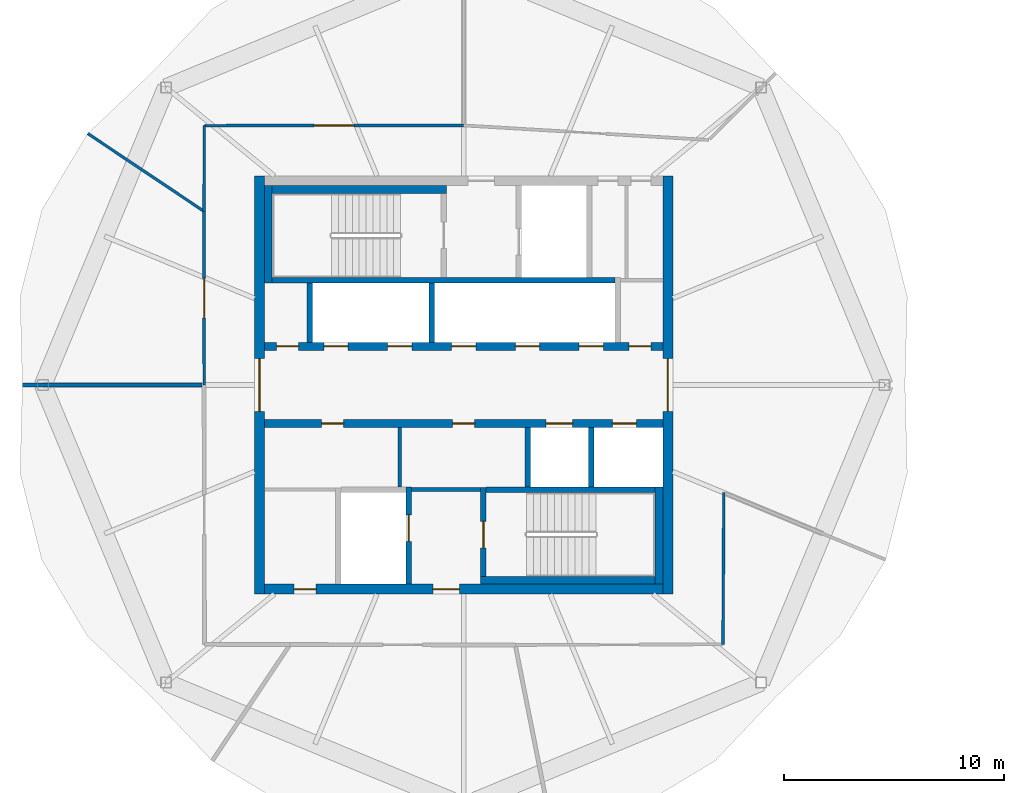
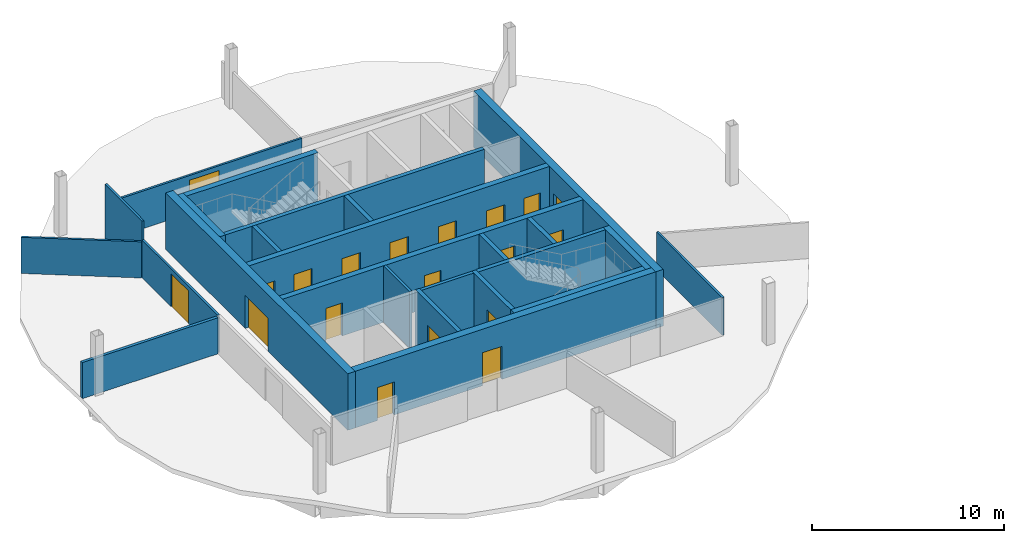
# One storey, part 5 of 10: 25 walls, 19 doors, 19 openings.
"""IFC4 building model written with IfcOpenShell, lengths in metres."""

from ifc_helpers import new_model, si_unit, direction, frame, frame_2d, origin, place, context, subcontext, project, spatial, rectangle, extrude, material, layer, layer_set, type_object, element, fill, save


model = new_model("IFC4")

# Units and contexts
model_context = context("Model", 3, precision=1e-05, world=origin(), true_north=direction((0.0, 1.0)))
body_context = subcontext(model_context, "Body", "Model", "MODEL_VIEW")
ifc_project = project(units=[si_unit("LENGTHUNIT", "METRE"), si_unit("AREAUNIT", "SQUARE_METRE"), si_unit("VOLUMEUNIT", "CUBIC_METRE"), si_unit("PLANEANGLEUNIT", "RADIAN"), si_unit("MASSUNIT", "GRAM", prefix="KILO")], contexts=[model_context])

# Site, building, storey
site_placement = place(None, origin())
site = spatial("IfcSite", under=ifc_project, at=site_placement, CompositionType="ELEMENT")
building_placement = place(site_placement, origin())
building = spatial("IfcBuilding", under=site, at=building_placement, Name="Ogive Gate Towers", CompositionType="ELEMENT")
storey_placement = place(building_placement, frame((0.0, 0.0, 236.699951171875)))
storey = spatial("IfcBuildingStorey", under=building, at=storey_placement, Name="L56", CompositionType="ELEMENT", Elevation=236.699951171875)

# Walls
ifc_material_1 = material(Name="Gypsum board acoustic partition")
ifc_layer_1 = layer(ifc_material_1, 0.175048828125)
ifc_layer_set_1 = layer_set([ifc_layer_1], Name="Acoustic partition 175")
wall_type_1 = type_object("IfcWallType", Name="Acoustic partition 175", PredefinedType="PARTITIONING", material=ifc_layer_set_1)
wall_1_placement = place(storey_placement, frame((-56.049072265625, 0.0, 0.0), z_axis=(0.0, 0.0, 1.0), x_axis=(1.0, 0.0, 0.0)))
element("IfcWall", 1, at=wall_1_placement, inside=storey, type_object=wall_type_1, Name="Partition T1-L56-004", PredefinedType="PARTITIONING", context=body_context, shape_type="SweptSolid", body=[
    extrude(rectangle(XDim=8.171630859375, YDim=0.175048828125, at=frame_2d((4.0859375, 0.0))), origin(), (0.0, 0.0, 1.0), 2.300048828125),
])
ifc_material_2 = material(Name="Masonry blockwork", Category="masonry")
ifc_layer_2 = layer(ifc_material_2, 0.199951171875)
ifc_layer_set_2 = layer_set([ifc_layer_2], Name="Blockwork wall 200 mm")
wall_type_2 = type_object("IfcWallType", Name="Blockwork wall 200 mm", PredefinedType="PARTITIONING", material=ifc_layer_set_2)
wall_2_placement = place(storey_placement, frame((-38.375, -4.75, 0.0), z_axis=(0.0, 0.0, 1.0), x_axis=(1.0, 0.0, 0.0)))
element("IfcWall", 2, at=wall_2_placement, inside=storey, type_object=wall_type_2, Name="T1 L56 Blockwork wall 200 mm", PredefinedType="PARTITIONING", context=body_context, shape_type="SweptSolid", body=[
    extrude(rectangle(XDim=3.14990234375, YDim=0.199951171875, at=frame_2d((1.574951171875, 0.0))), origin(), (0.0, 0.0, 1.0), 3.60009765625),
])

# Wall, openings, doors
ifc_material_3 = material(Name="Concrete C60/75", Category="concrete")
ifc_layer_3 = layer(ifc_material_3, 0.449951171875)
ifc_layer_set_3 = layer_set([ifc_layer_3], Name="Core wall 450 mm")
wall_type_3 = type_object("IfcWallType", Name="Core wall 450 mm", PredefinedType="SHEAR", material=ifc_layer_set_3)
wall_3_placement = place(storey_placement, frame((-45.050048828125, -9.27490234375, 0.0), z_axis=(0.0, 0.0, 1.0), x_axis=(1.0, 0.0, 0.0)))
wall_3 = element("IfcWall", 3, at=wall_3_placement, inside=storey, type_object=wall_type_3, Name="T1 L56 Core wall 450 mm", PredefinedType="SHEAR", context=body_context, shape_type="SweptSolid", body=[
    extrude(rectangle(XDim=18.10009765625, YDim=0.449951171875, at=frame_2d((9.050048828125, 0.0))), origin(), (0.0, 0.0, 1.0), 3.60009765625),
])
opening_1_placement = place(wall_3_placement, frame((7.64990234375, 0.0, 0.0)))
opening_1 = element("IfcOpeningElement", 4, at=opening_1_placement, cuts=wall_3, Name="Opening KD-T1-L56-19", PredefinedType="OPENING", context=body_context, shape_type="SweptSolid", body=[
    extrude(rectangle(XDim=1.199951171875, YDim=2.10009765625, at=frame_2d((0.60009765625, 1.050048828125))), frame((0.0, 0.23486328125, 0.0), z_axis=(0.0, -1.0, 0.0), x_axis=(1.0, 0.0, 0.0)), (0.0, 0.0, 1.0), 0.469970703125),
])
opening_2_placement = place(wall_3_placement, frame((1.35009765625, 0.0, 0.0)))
opening_2 = element("IfcOpeningElement", 5, at=opening_2_placement, cuts=wall_3, Name="Opening KD-T1-L56-22", PredefinedType="OPENING", context=body_context, shape_type="SweptSolid", body=[
    extrude(rectangle(XDim=1.0, YDim=2.10009765625, at=frame_2d((0.5, 1.050048828125))), frame((0.0, 0.23486328125, 0.0), z_axis=(0.0, -1.0, 0.0), x_axis=(1.0, 0.0, 0.0)), (0.0, 0.0, 1.0), 0.469970703125),
])
ifc_material_4 = material(Name="Timber door", Category="wood")
door_type_1 = type_object("IfcDoorType", Name="Accessible WC door 1000 x 2100", OperationType="NOTDEFINED", PredefinedType="DOOR", material=ifc_material_4)
door_1_placement = place(opening_2_placement, origin())
door_1 = element("IfcDoor", 6, at=door_1_placement, inside=storey, type_object=door_type_1, Name="T1 L56 Core door", OperationType="SINGLE_SWING_LEFT", OverallHeight=2.10009765625, OverallWidth=1.0, PredefinedType="DOOR", context=body_context, shape_type="SweptSolid", body=[
    extrude(rectangle(XDim=1.0, YDim=2.10009765625, at=frame_2d((0.5, 1.050048828125))), frame((0.0, 0.02490234375, 0.0), z_axis=(0.0, -1.0, 0.0), x_axis=(1.0, 0.0, 0.0)), (0.0, 0.0, 1.0), 0.050048828125),
])
fill(opening_2, door_1)
ifc_material_5 = material(Name="Steel fire door", Category="steel")
door_type_2 = type_object("IfcDoorType", Name="Core door FD60S 1200 x 2100", OperationType="NOTDEFINED", PredefinedType="DOOR", material=ifc_material_5)
door_2_placement = place(opening_1_placement, origin())
door_2 = element("IfcDoor", 7, at=door_2_placement, inside=storey, type_object=door_type_2, Name="T1 L56 Fire-fighting lobby door", OperationType="SINGLE_SWING_RIGHT", OverallHeight=2.10009765625, OverallWidth=1.199951171875, PredefinedType="DOOR", context=body_context, shape_type="SweptSolid", body=[
    extrude(rectangle(XDim=1.199951171875, YDim=2.10009765625, at=frame_2d((0.60009765625, 1.050048828125))), frame((0.0, 0.02490234375, 0.0), z_axis=(0.0, -1.0, 0.0), x_axis=(1.0, 0.0, 0.0)), (0.0, 0.0, 1.0), 0.050048828125),
])
fill(opening_1, door_2)

# Wall, opening, door
wall_4_placement = place(storey_placement, frame((-45.27490234375, -9.5, 0.0), z_axis=(0.0, 0.0, 1.0), x_axis=(0.0, 1.0, 0.0)))
wall_4 = element("IfcWall", 8, at=wall_4_placement, inside=storey, type_object=wall_type_3, Name="T1 L56 Core wall 450 mm", PredefinedType="SHEAR", context=body_context, shape_type="SweptSolid", body=[
    extrude(rectangle(XDim=19.0, YDim=0.449951171875, at=frame_2d((9.5, 0.0))), origin(), (0.0, 0.0, 1.0), 3.60009765625),
])
opening_3_placement = place(wall_4_placement, frame((8.300048828125, 0.0, 0.0)))
opening_3 = element("IfcOpeningElement", 9, at=opening_3_placement, cuts=wall_4, Name="Opening KD-T1-L56-01", PredefinedType="OPENING", context=body_context, shape_type="SweptSolid", body=[
    extrude(rectangle(XDim=2.39990234375, YDim=2.10009765625, at=frame_2d((1.199951171875, 1.050048828125))), frame((0.0, 0.23486328125, 0.0), z_axis=(0.0, -1.0, 0.0), x_axis=(1.0, 0.0, 0.0)), (0.0, 0.0, 1.0), 0.469970703125),
])
door_type_3 = type_object("IfcDoorType", Name="Core double door FD60S 2400 x 2100", OperationType="DOUBLE_DOOR_SINGLE_SWING", PredefinedType="DOOR", material=ifc_material_5)
door_3_placement = place(opening_3_placement, origin())
door_3 = element("IfcDoor", 10, at=door_3_placement, inside=storey, type_object=door_type_3, Name="T1 L56 Core door double", OperationType="DOUBLE_DOOR_SINGLE_SWING", OverallHeight=2.10009765625, OverallWidth=2.39990234375, PredefinedType="DOOR", context=body_context, shape_type="SweptSolid", body=[
    extrude(rectangle(XDim=2.39990234375, YDim=2.10009765625, at=frame_2d((1.199951171875, 1.050048828125))), frame((0.0, 0.02490234375, 0.0), z_axis=(0.0, -1.0, 0.0), x_axis=(1.0, 0.0, 0.0)), (0.0, 0.0, 1.0), 0.050048828125),
])
fill(opening_3, door_3)

wall_5_placement = place(storey_placement, frame((-26.72509765625, -9.5, 0.0), z_axis=(0.0, 0.0, 1.0), x_axis=(0.0, 1.0, 0.0)))
wall_5 = element("IfcWall", 11, at=wall_5_placement, inside=storey, type_object=wall_type_3, Name="T1 L56 Core wall 450 mm", PredefinedType="SHEAR", context=body_context, shape_type="SweptSolid", body=[
    extrude(rectangle(XDim=19.0, YDim=0.449951171875, at=frame_2d((9.5, 0.0))), origin(), (0.0, 0.0, 1.0), 3.60009765625),
])
opening_4_placement = place(wall_5_placement, frame((8.300048828125, 0.0, 0.0)))
opening_4 = element("IfcOpeningElement", 12, at=opening_4_placement, cuts=wall_5, Name="Opening KD-T1-L56-02", PredefinedType="OPENING", context=body_context, shape_type="SweptSolid", body=[
    extrude(rectangle(XDim=2.39990234375, YDim=2.10009765625, at=frame_2d((1.199951171875, 1.050048828125))), frame((0.0, 0.23486328125, 0.0), z_axis=(0.0, -1.0, 0.0), x_axis=(1.0, 0.0, 0.0)), (0.0, 0.0, 1.0), 0.469970703125),
])
door_4_placement = place(opening_4_placement, origin())
door_4 = element("IfcDoor", 13, at=door_4_placement, inside=storey, type_object=door_type_3, Name="T1 L56 Core door double", OperationType="DOUBLE_DOOR_SINGLE_SWING", OverallHeight=2.10009765625, OverallWidth=2.39990234375, PredefinedType="DOOR", context=body_context, shape_type="SweptSolid", body=[
    extrude(rectangle(XDim=2.39990234375, YDim=2.10009765625, at=frame_2d((1.199951171875, 1.050048828125))), frame((0.0, 0.02490234375, 0.0), z_axis=(0.0, -1.0, 0.0), x_axis=(1.0, 0.0, 0.0)), (0.0, 0.0, 1.0), 0.050048828125),
])
fill(opening_4, door_4)

# Walls
ifc_material_6 = material(Name="Gypsum board partition")
ifc_layer_4 = layer(ifc_material_6, 0.125)
ifc_layer_set_4 = layer_set([ifc_layer_4], Name="Partition 125")
wall_type_4 = type_object("IfcWallType", Name="Partition 125", PredefinedType="PARTITIONING", material=ifc_layer_set_4)
wall_6_placement = place(storey_placement, frame((-53.081298828125, 11.424072265625, 0.0), z_axis=(0.0, 0.0, 1.0), x_axis=(0.831214202949, -0.555952290054, 0.0)))
element("IfcWall", 14, at=wall_6_placement, inside=storey, type_object=wall_type_4, Name="Partition T1-L56-003", PredefinedType="PARTITIONING", context=body_context, shape_type="SweptSolid", body=[
    extrude(rectangle(XDim=6.29638671875, YDim=0.125, at=frame_2d((3.148193359375, 0.0))), origin(), (0.0, 0.0, 1.0), 2.300048828125),
])
wall_7_placement = place(storey_placement, frame((-24.219970703125, -11.780029296875, 0.0), z_axis=(0.0, 0.0, 1.0), x_axis=(0.005425259683, 0.99998528317, 0.0)))
element("IfcWall", 15, at=wall_7_placement, inside=storey, type_object=wall_type_4, Name="Partition T1-L56-010", PredefinedType="PARTITIONING", context=body_context, shape_type="SweptSolid", body=[
    extrude(rectangle(XDim=6.885009765625, YDim=0.125, at=frame_2d((3.4423828125, 0.0))), origin(), (0.0, 0.0, 1.0), 2.400146484375),
])

# Wall, opening, door
wall_8_placement = place(storey_placement, frame((-36.0, 11.7900390625, 0.0), z_axis=(0.0, 0.0, 1.0), x_axis=(-0.999999638985, -0.000849723015, 0.0)))
wall_8 = element("IfcWall", 16, at=wall_8_placement, inside=storey, type_object=wall_type_4, Name="Partition T1-L56-012", PredefinedType="PARTITIONING", context=body_context, shape_type="SweptSolid", body=[
    extrude(rectangle(XDim=11.780029296875, YDim=0.125, at=frame_2d((5.89013671875, 0.0))), origin(), (0.0, 0.0, 1.0), 2.400146484375),
])
opening_5_placement = place(wall_8_placement, frame((4.989990234375, 0.0, 0.0)))
opening_5 = element("IfcOpeningElement", 17, at=opening_5_placement, cuts=wall_8, Name="Opening T1-L56-D04", PredefinedType="OPENING", context=body_context, shape_type="SweptSolid", body=[
    extrude(rectangle(XDim=1.800048828125, YDim=2.10009765625, at=frame_2d((0.89990234375, 1.050048828125))), frame((0.0, 0.072509765625, 0.0), z_axis=(0.0, -1.0, 0.0), x_axis=(1.0, 0.0, 0.0)), (0.0, 0.0, 1.0), 0.14501953125),
])
door_type_4 = type_object("IfcDoorType", Name="Door pair 1800", OperationType="NOTDEFINED", PredefinedType="DOOR", material=ifc_material_4)
door_5_placement = place(opening_5_placement, origin())
door_5 = element("IfcDoor", 18, at=door_5_placement, inside=storey, type_object=door_type_4, Name="Door T1-L56-D04", OperationType="DOUBLE_DOOR_DOUBLE_SWING", OverallHeight=2.10009765625, OverallWidth=1.800048828125, PredefinedType="DOOR", context=body_context, shape_type="SweptSolid", body=[
    extrude(rectangle(XDim=1.800048828125, YDim=2.10009765625, at=frame_2d((0.89990234375, 1.050048828125))), frame((0.0, 0.02490234375, 0.0), z_axis=(0.0, -1.0, 0.0), x_axis=(1.0, 0.0, 0.0)), (0.0, 0.0, 1.0), 0.050048828125),
])
fill(opening_5, door_5)

# Wall
wall_9_placement = place(storey_placement, frame((-47.780029296875, 11.780029296875, 0.0), z_axis=(0.0, 0.0, 1.0), x_axis=(-0.004015527922, -0.999991937735, 0.0)))
element("IfcWall", 19, at=wall_9_placement, inside=storey, type_object=wall_type_4, Name="Partition T1-L56-013", PredefinedType="PARTITIONING", context=body_context, shape_type="SweptSolid", body=[
    extrude(rectangle(XDim=3.89111328125, YDim=0.125, at=frame_2d((1.945556640625, 0.0))), origin(), (0.0, 0.0, 1.0), 3.60009765625),
])

# Wall, opening, door
wall_10_placement = place(storey_placement, frame((-47.795654296875, 7.888916015625, 0.0), z_axis=(0.0, 0.0, 1.0), x_axis=(0.000711787645, -0.999999746679, 0.0)))
wall_10 = element("IfcWall", 20, at=wall_10_placement, inside=storey, type_object=wall_type_4, Name="Partition T1-L56-014", PredefinedType="PARTITIONING", context=body_context, shape_type="SweptSolid", body=[
    extrude(rectangle(XDim=7.888916015625, YDim=0.125, at=frame_2d((3.9443359375, 0.0))), origin(), (0.0, 0.0, 1.0), 2.400146484375),
])
opening_6_placement = place(wall_10_placement, frame((3.0439453125, 0.0, 0.0)))
opening_6 = element("IfcOpeningElement", 21, at=opening_6_placement, cuts=wall_10, Name="Opening T1-L56-D05", PredefinedType="OPENING", context=body_context, shape_type="SweptSolid", body=[
    extrude(rectangle(XDim=1.800048828125, YDim=2.10009765625, at=frame_2d((0.89990234375, 1.050048828125))), frame((0.0, 0.072509765625, 0.0), z_axis=(0.0, -1.0, 0.0), x_axis=(1.0, 0.0, 0.0)), (0.0, 0.0, 1.0), 0.14501953125),
])
door_6_placement = place(opening_6_placement, origin())
door_6 = element("IfcDoor", 22, at=door_6_placement, inside=storey, type_object=door_type_4, Name="Door T1-L56-D05", OperationType="DOUBLE_DOOR_DOUBLE_SWING", OverallHeight=2.10009765625, OverallWidth=1.800048828125, PredefinedType="DOOR", context=body_context, shape_type="SweptSolid", body=[
    extrude(rectangle(XDim=1.800048828125, YDim=2.10009765625, at=frame_2d((0.89990234375, 1.050048828125))), frame((0.0, 0.02490234375, 0.0), z_axis=(0.0, -1.0, 0.0), x_axis=(1.0, 0.0, 0.0)), (0.0, 0.0, 1.0), 0.050048828125),
])
fill(opening_6, door_6)

# Walls
ifc_layer_5 = layer(ifc_material_6, 0.14990234375)
ifc_layer_set_5 = layer_set([ifc_layer_5], Name="Room partition 150 mm")
wall_type_5 = type_object("IfcWallType", Name="Room partition 150 mm", PredefinedType="PARTITIONING", material=ifc_layer_set_5)
wall_11_placement = place(storey_placement, frame((-38.89990234375, -4.625, 0.0), z_axis=(0.0, 0.0, 1.0), x_axis=(0.0, 1.0, 0.0)))
element("IfcWall", 23, at=wall_11_placement, inside=storey, type_object=wall_type_5, Name="T1 L56 Room partition 150 mm", PredefinedType="PARTITIONING", context=body_context, shape_type="SweptSolid", body=[
    extrude(rectangle(XDim=2.699951171875, YDim=0.14990234375, at=frame_2d((1.35009765625, 0.0))), origin(), (0.0, 0.0, 1.0), 3.60009765625),
])
ifc_layer_6 = layer(ifc_material_3, 0.25)
ifc_layer_set_6 = layer_set([ifc_layer_6], Name="Shaft wall 250 mm")
wall_type_6 = type_object("IfcWallType", Name="Shaft wall 250 mm", PredefinedType="SHEAR", material=ifc_layer_set_6)
wall_12_placement = place(storey_placement, frame((-34.97509765625, -4.75, 0.0), z_axis=(0.0, 0.0, 1.0), x_axis=(1.0, 0.0, 0.0)))
element("IfcWall", 24, at=wall_12_placement, inside=storey, type_object=wall_type_6, Name="T1 L56 Shaft wall 250 mm", PredefinedType="SHEAR", context=body_context, shape_type="SweptSolid", body=[
    extrude(rectangle(XDim=7.675048828125, YDim=0.25, at=frame_2d((3.83740234375, 0.0))), origin(), (0.0, 0.0, 1.0), 3.60009765625),
])
wall_13_placement = place(storey_placement, frame((-44.699951171875, 4.75, 0.0), z_axis=(0.0, 0.0, 1.0), x_axis=(1.0, 0.0, 0.0)))
element("IfcWall", 25, at=wall_13_placement, inside=storey, type_object=wall_type_6, Name="T1 L56 Shaft wall 250 mm", PredefinedType="SHEAR", context=body_context, shape_type="SweptSolid", body=[
    extrude(rectangle(XDim=15.574951171875, YDim=0.25, at=frame_2d((7.78759765625, 0.0))), origin(), (0.0, 0.0, 1.0), 3.60009765625),
])
wall_14_placement = place(storey_placement, frame((-43.0, 1.925048828125, 0.0), z_axis=(0.0, 0.0, 1.0), x_axis=(0.0, 1.0, 0.0)))
element("IfcWall", 26, at=wall_14_placement, inside=storey, type_object=wall_type_6, Name="T1 L56 Shaft wall 250 mm", PredefinedType="SHEAR", context=body_context, shape_type="SweptSolid", body=[
    extrude(rectangle(XDim=2.699951171875, YDim=0.25, at=frame_2d((1.35009765625, 0.0))), origin(), (0.0, 0.0, 1.0), 3.60009765625),
])

# Wall, opening, door
wall_15_placement = place(storey_placement, frame((-38.5, -9.050048828125, 0.0), z_axis=(0.0, 0.0, 1.0), x_axis=(0.0, 1.0, 0.0)))
wall_15 = element("IfcWall", 27, at=wall_15_placement, inside=storey, type_object=wall_type_6, Name="T1 L56 Shaft wall 250 mm", PredefinedType="SHEAR", context=body_context, shape_type="SweptSolid", body=[
    extrude(rectangle(XDim=4.425048828125, YDim=0.25, at=frame_2d((2.21240234375, 0.0))), origin(), (0.0, 0.0, 1.0), 3.60009765625),
])
opening_7_placement = place(wall_15_placement, frame((1.949951171875, 0.0, 0.0)))
opening_7 = element("IfcOpeningElement", 28, at=opening_7_placement, cuts=wall_15, Name="Opening LD-T1-L56-13", PredefinedType="OPENING", context=body_context, shape_type="SweptSolid", body=[
    extrude(rectangle(XDim=1.199951171875, YDim=2.10009765625, at=frame_2d((0.60009765625, 1.050048828125))), frame((0.0, 0.135009765625, 0.0), z_axis=(0.0, -1.0, 0.0), x_axis=(1.0, 0.0, 0.0)), (0.0, 0.0, 1.0), 0.27001953125),
])
ifc_material_7 = material(Name="Stainless steel landing door", Category="steel")
door_type_5 = type_object("IfcDoorType", Name="Landing door 1200 x 2100", OperationType="SLIDING_TO_LEFT", PredefinedType="DOOR", material=ifc_material_7)
door_7_placement = place(opening_7_placement, origin())
door_7 = element("IfcDoor", 29, at=door_7_placement, inside=storey, type_object=door_type_5, Name="T1 L56 Lift landing door FF2", OperationType="SLIDING_TO_LEFT", OverallHeight=2.10009765625, OverallWidth=1.199951171875, PredefinedType="DOOR", context=body_context, shape_type="SweptSolid", body=[
    extrude(rectangle(XDim=1.199951171875, YDim=2.10009765625, at=frame_2d((0.60009765625, 1.050048828125))), frame((0.0, 0.02490234375, 0.0), z_axis=(0.0, -1.0, 0.0), x_axis=(1.0, 0.0, 0.0)), (0.0, 0.0, 1.0), 0.050048828125),
])
fill(opening_7, door_7)

# Wall
wall_16_placement = place(storey_placement, frame((-37.449951171875, 1.925048828125, 0.0), z_axis=(0.0, 0.0, 1.0), x_axis=(0.0, 1.0, 0.0)))
element("IfcWall", 30, at=wall_16_placement, inside=storey, type_object=wall_type_6, Name="T1 L56 Shaft wall 250 mm", PredefinedType="SHEAR", context=body_context, shape_type="SweptSolid", body=[
    extrude(rectangle(XDim=2.699951171875, YDim=0.25, at=frame_2d((1.35009765625, 0.0))), origin(), (0.0, 0.0, 1.0), 3.60009765625),
])

# Wall, opening, door
wall_17_placement = place(storey_placement, frame((-35.10009765625, -8.699951171875, 0.0), z_axis=(0.0, 0.0, 1.0), x_axis=(0.0, 1.0, 0.0)))
wall_17 = element("IfcWall", 31, at=wall_17_placement, inside=storey, type_object=wall_type_6, Name="T1 L56 Shaft wall 250 mm", PredefinedType="SHEAR", context=body_context, shape_type="SweptSolid", body=[
    extrude(rectangle(XDim=4.050048828125, YDim=0.25, at=frame_2d((2.02490234375, 0.0))), origin(), (0.0, 0.0, 1.0), 3.60009765625),
])
opening_8_placement = place(wall_17_placement, frame((1.300048828125, 0.0, 0.0)))
opening_8 = element("IfcOpeningElement", 32, at=opening_8_placement, cuts=wall_17, Name="Opening KD-T1-L56-17", PredefinedType="OPENING", context=body_context, shape_type="SweptSolid", body=[
    extrude(rectangle(XDim=1.199951171875, YDim=2.10009765625, at=frame_2d((0.60009765625, 1.050048828125))), frame((0.0, 0.135009765625, 0.0), z_axis=(0.0, -1.0, 0.0), x_axis=(1.0, 0.0, 0.0)), (0.0, 0.0, 1.0), 0.27001953125),
])
door_8_placement = place(opening_8_placement, origin())
door_8 = element("IfcDoor", 33, at=door_8_placement, inside=storey, type_object=door_type_2, Name="T1 L56 Stair door", OperationType="SINGLE_SWING_RIGHT", OverallHeight=2.10009765625, OverallWidth=1.199951171875, PredefinedType="DOOR", context=body_context, shape_type="SweptSolid", body=[
    extrude(rectangle(XDim=1.199951171875, YDim=2.10009765625, at=frame_2d((0.60009765625, 1.050048828125))), frame((0.0, 0.02490234375, 0.0), z_axis=(0.0, -1.0, 0.0), x_axis=(1.0, 0.0, 0.0)), (0.0, 0.0, 1.0), 0.050048828125),
])
fill(opening_8, door_8)

# Walls
for number, where, z_axis, x_axis, name in (
    (34, (-33.10009765625, -4.625, 0.0), (0.0, 0.0, 1.0), (0.0, 1.0, 0.0), "T1 L56 Shaft wall 250 mm"),
    (35, (-30.199951171875, -4.625, 0.0), (0.0, 0.0, 1.0), (0.0, 1.0, 0.0), "T1 L56 Shaft wall 250 mm"),
):
    element("IfcWall", number, at=place(storey_placement, frame(where, z_axis=z_axis, x_axis=x_axis)), inside=storey, type_object=wall_type_6, Name=name, PredefinedType="SHEAR", context=body_context, shape_type="SweptSolid", body=[
        extrude(rectangle(XDim=2.699951171875, YDim=0.25, at=frame_2d((1.35009765625, 0.0))), origin(), (0.0, 0.0, 1.0), 3.60009765625),
    ])

# Wall, openings, doors
ifc_layer_7 = layer(ifc_material_3, 0.35009765625)
ifc_layer_set_7 = layer_set([ifc_layer_7], Name="Spine wall 350 mm")
wall_type_7 = type_object("IfcWallType", Name="Spine wall 350 mm", PredefinedType="SHEAR", material=ifc_layer_set_7)
wall_18_placement = place(storey_placement, frame((-45.050048828125, -1.75, 0.0), z_axis=(0.0, 0.0, 1.0), x_axis=(1.0, 0.0, 0.0)))
wall_18 = element("IfcWall", 36, at=wall_18_placement, inside=storey, type_object=wall_type_7, Name="T1 L56 Spine wall 350 mm", PredefinedType="SHEAR", context=body_context, shape_type="SweptSolid", body=[
    extrude(rectangle(XDim=18.10009765625, YDim=0.35009765625, at=frame_2d((9.050048828125, 0.0))), origin(), (0.0, 0.0, 1.0), 3.60009765625),
])
opening_9_placement = place(wall_18_placement, frame((12.800048828125, 0.0, 0.0)))
opening_9 = element("IfcOpeningElement", 37, at=opening_9_placement, cuts=wall_18, Name="Opening LD-T1-L56-10", PredefinedType="OPENING", context=body_context, shape_type="SweptSolid", body=[
    extrude(rectangle(XDim=1.199951171875, YDim=2.10009765625, at=frame_2d((0.60009765625, 1.050048828125))), frame((0.0, 0.18505859375, 0.0), z_axis=(0.0, -1.0, 0.0), x_axis=(1.0, 0.0, 0.0)), (0.0, 0.0, 1.0), 0.3701171875),
])
opening_10_placement = place(wall_18_placement, frame((15.800048828125, 0.0, 0.0)))
opening_10 = element("IfcOpeningElement", 38, at=opening_10_placement, cuts=wall_18, Name="Opening LD-T1-L56-11", PredefinedType="OPENING", context=body_context, shape_type="SweptSolid", body=[
    extrude(rectangle(XDim=1.10009765625, YDim=2.10009765625, at=frame_2d((0.550048828125, 1.050048828125))), frame((0.0, 0.18505859375, 0.0), z_axis=(0.0, -1.0, 0.0), x_axis=(1.0, 0.0, 0.0)), (0.0, 0.0, 1.0), 0.3701171875),
])
opening_11_placement = place(wall_18_placement, frame((2.60009765625, 0.0, 0.0)))
opening_11 = element("IfcOpeningElement", 39, at=opening_11_placement, cuts=wall_18, Name="Opening KD-T1-L56-14", PredefinedType="OPENING", context=body_context, shape_type="SweptSolid", body=[
    extrude(rectangle(XDim=1.0, YDim=2.10009765625, at=frame_2d((0.5, 1.050048828125))), frame((0.0, 0.18505859375, 0.0), z_axis=(0.0, -1.0, 0.0), x_axis=(1.0, 0.0, 0.0)), (0.0, 0.0, 1.0), 0.3701171875),
])
opening_12_placement = place(wall_18_placement, frame((8.550048828125, 0.0, 0.0)))
opening_12 = element("IfcOpeningElement", 40, at=opening_12_placement, cuts=wall_18, Name="Opening KD-T1-L56-15", PredefinedType="OPENING", context=body_context, shape_type="SweptSolid", body=[
    extrude(rectangle(XDim=1.0, YDim=2.10009765625, at=frame_2d((0.5, 1.050048828125))), frame((0.0, 0.18505859375, 0.0), z_axis=(0.0, -1.0, 0.0), x_axis=(1.0, 0.0, 0.0)), (0.0, 0.0, 1.0), 0.3701171875),
])
door_type_6 = type_object("IfcDoorType", Name="Core door FD60S 1000 x 2100", OperationType="NOTDEFINED", PredefinedType="DOOR", material=ifc_material_5)
door_9_placement = place(opening_11_placement, origin())
door_9 = element("IfcDoor", 41, at=door_9_placement, inside=storey, type_object=door_type_6, Name="T1 L56 Core door", OperationType="SINGLE_SWING_LEFT", OverallHeight=2.10009765625, OverallWidth=1.0, PredefinedType="DOOR", context=body_context, shape_type="SweptSolid", body=[
    extrude(rectangle(XDim=1.0, YDim=2.10009765625, at=frame_2d((0.5, 1.050048828125))), frame((0.0, 0.02490234375, 0.0), z_axis=(0.0, -1.0, 0.0), x_axis=(1.0, 0.0, 0.0)), (0.0, 0.0, 1.0), 0.050048828125),
])
fill(opening_11, door_9)
door_10_placement = place(opening_12_placement, origin())
door_10 = element("IfcDoor", 42, at=door_10_placement, inside=storey, type_object=door_type_6, Name="T1 L56 Core door", OperationType="SINGLE_SWING_RIGHT", OverallHeight=2.10009765625, OverallWidth=1.0, PredefinedType="DOOR", context=body_context, shape_type="SweptSolid", body=[
    extrude(rectangle(XDim=1.0, YDim=2.10009765625, at=frame_2d((0.5, 1.050048828125))), frame((0.0, 0.02490234375, 0.0), z_axis=(0.0, -1.0, 0.0), x_axis=(1.0, 0.0, 0.0)), (0.0, 0.0, 1.0), 0.050048828125),
])
fill(opening_12, door_10)
door_type_7 = type_object("IfcDoorType", Name="Landing door 1100 x 2100", OperationType="SLIDING_TO_LEFT", PredefinedType="DOOR", material=ifc_material_7)
door_11_placement = place(opening_10_placement, origin())
door_11 = element("IfcDoor", 43, at=door_11_placement, inside=storey, type_object=door_type_7, Name="T1 L56 Lift landing door B6", OperationType="SLIDING_TO_LEFT", OverallHeight=2.10009765625, OverallWidth=1.10009765625, PredefinedType="DOOR", context=body_context, shape_type="SweptSolid", body=[
    extrude(rectangle(XDim=1.10009765625, YDim=2.10009765625, at=frame_2d((0.550048828125, 1.050048828125))), frame((0.0, 0.02490234375, 0.0), z_axis=(0.0, -1.0, 0.0), x_axis=(1.0, 0.0, 0.0)), (0.0, 0.0, 1.0), 0.050048828125),
])
fill(opening_10, door_11)
door_12_placement = place(opening_9_placement, origin())
door_12 = element("IfcDoor", 44, at=door_12_placement, inside=storey, type_object=door_type_5, Name="T1 L56 Lift landing door SVC", OperationType="SLIDING_TO_LEFT", OverallHeight=2.10009765625, OverallWidth=1.199951171875, PredefinedType="DOOR", context=body_context, shape_type="SweptSolid", body=[
    extrude(rectangle(XDim=1.199951171875, YDim=2.10009765625, at=frame_2d((0.60009765625, 1.050048828125))), frame((0.0, 0.02490234375, 0.0), z_axis=(0.0, -1.0, 0.0), x_axis=(1.0, 0.0, 0.0)), (0.0, 0.0, 1.0), 0.050048828125),
])
fill(opening_9, door_12)

wall_19_placement = place(storey_placement, frame((-45.050048828125, 1.75, 0.0), z_axis=(0.0, 0.0, 1.0), x_axis=(1.0, 0.0, 0.0)))
wall_19 = element("IfcWall", 45, at=wall_19_placement, inside=storey, type_object=wall_type_7, Name="T1 L56 Spine wall 350 mm", PredefinedType="SHEAR", context=body_context, shape_type="SweptSolid", body=[
    extrude(rectangle(XDim=18.10009765625, YDim=0.35009765625, at=frame_2d((9.050048828125, 0.0))), origin(), (0.0, 0.0, 1.0), 3.60009765625),
])
opening_13_placement = place(wall_19_placement, frame((0.550048828125, 0.0, 0.0)))
opening_13 = element("IfcOpeningElement", 46, at=opening_13_placement, cuts=wall_19, Name="Opening KD-T1-L56-03", PredefinedType="OPENING", context=body_context, shape_type="SweptSolid", body=[
    extrude(rectangle(XDim=1.0, YDim=2.10009765625, at=frame_2d((0.5, 1.050048828125))), frame((0.0, 0.18505859375, 0.0), z_axis=(0.0, -1.0, 0.0), x_axis=(1.0, 0.0, 0.0)), (0.0, 0.0, 1.0), 0.3701171875),
])
opening_14_placement = place(wall_19_placement, frame((2.699951171875, 0.0, 0.0)))
opening_14 = element("IfcOpeningElement", 47, at=opening_14_placement, cuts=wall_19, Name="Opening LD-T1-L56-04", PredefinedType="OPENING", context=body_context, shape_type="SweptSolid", body=[
    extrude(rectangle(XDim=1.10009765625, YDim=2.10009765625, at=frame_2d((0.550048828125, 1.050048828125))), frame((0.0, 0.18505859375, 0.0), z_axis=(0.0, -1.0, 0.0), x_axis=(1.0, 0.0, 0.0)), (0.0, 0.0, 1.0), 0.3701171875),
])
opening_15_placement = place(wall_19_placement, frame((5.60009765625, 0.0, 0.0)))
opening_15 = element("IfcOpeningElement", 48, at=opening_15_placement, cuts=wall_19, Name="Opening LD-T1-L56-05", PredefinedType="OPENING", context=body_context, shape_type="SweptSolid", body=[
    extrude(rectangle(XDim=1.10009765625, YDim=2.10009765625, at=frame_2d((0.550048828125, 1.050048828125))), frame((0.0, 0.18505859375, 0.0), z_axis=(0.0, -1.0, 0.0), x_axis=(1.0, 0.0, 0.0)), (0.0, 0.0, 1.0), 0.3701171875),
])
opening_16_placement = place(wall_19_placement, frame((8.5, 0.0, 0.0)))
opening_16 = element("IfcOpeningElement", 49, at=opening_16_placement, cuts=wall_19, Name="Opening LD-T1-L56-06", PredefinedType="OPENING", context=body_context, shape_type="SweptSolid", body=[
    extrude(rectangle(XDim=1.10009765625, YDim=2.10009765625, at=frame_2d((0.550048828125, 1.050048828125))), frame((0.0, 0.18505859375, 0.0), z_axis=(0.0, -1.0, 0.0), x_axis=(1.0, 0.0, 0.0)), (0.0, 0.0, 1.0), 0.3701171875),
])
opening_17_placement = place(wall_19_placement, frame((11.39990234375, 0.0, 0.0)))
opening_17 = element("IfcOpeningElement", 50, at=opening_17_placement, cuts=wall_19, Name="Opening LD-T1-L56-07", PredefinedType="OPENING", context=body_context, shape_type="SweptSolid", body=[
    extrude(rectangle(XDim=1.10009765625, YDim=2.10009765625, at=frame_2d((0.550048828125, 1.050048828125))), frame((0.0, 0.18505859375, 0.0), z_axis=(0.0, -1.0, 0.0), x_axis=(1.0, 0.0, 0.0)), (0.0, 0.0, 1.0), 0.3701171875),
])
opening_18_placement = place(wall_19_placement, frame((14.300048828125, 0.0, 0.0)))
opening_18 = element("IfcOpeningElement", 51, at=opening_18_placement, cuts=wall_19, Name="Opening LD-T1-L56-08", PredefinedType="OPENING", context=body_context, shape_type="SweptSolid", body=[
    extrude(rectangle(XDim=1.10009765625, YDim=2.10009765625, at=frame_2d((0.550048828125, 1.050048828125))), frame((0.0, 0.18505859375, 0.0), z_axis=(0.0, -1.0, 0.0), x_axis=(1.0, 0.0, 0.0)), (0.0, 0.0, 1.0), 0.3701171875),
])
opening_19_placement = place(wall_19_placement, frame((16.550048828125, 0.0, 0.0)))
opening_19 = element("IfcOpeningElement", 52, at=opening_19_placement, cuts=wall_19, Name="Opening KD-T1-L56-09", PredefinedType="OPENING", context=body_context, shape_type="SweptSolid", body=[
    extrude(rectangle(XDim=1.0, YDim=2.10009765625, at=frame_2d((0.5, 1.050048828125))), frame((0.0, 0.18505859375, 0.0), z_axis=(0.0, -1.0, 0.0), x_axis=(1.0, 0.0, 0.0)), (0.0, 0.0, 1.0), 0.3701171875),
])
door_13_placement = place(opening_13_placement, origin())
door_13 = element("IfcDoor", 53, at=door_13_placement, inside=storey, type_object=door_type_6, Name="T1 L56 Core door", OperationType="SINGLE_SWING_RIGHT", OverallHeight=2.10009765625, OverallWidth=1.0, PredefinedType="DOOR", context=body_context, shape_type="SweptSolid", body=[
    extrude(rectangle(XDim=1.0, YDim=2.10009765625, at=frame_2d((0.5, 1.050048828125))), frame((0.0, 0.02490234375, 0.0), z_axis=(0.0, -1.0, 0.0), x_axis=(1.0, 0.0, 0.0)), (0.0, 0.0, 1.0), 0.050048828125),
])
fill(opening_13, door_13)
door_14_placement = place(opening_19_placement, origin())
door_14 = element("IfcDoor", 54, at=door_14_placement, inside=storey, type_object=door_type_6, Name="T1 L56 Core door", OperationType="SINGLE_SWING_RIGHT", OverallHeight=2.10009765625, OverallWidth=1.0, PredefinedType="DOOR", context=body_context, shape_type="SweptSolid", body=[
    extrude(rectangle(XDim=1.0, YDim=2.10009765625, at=frame_2d((0.5, 1.050048828125))), frame((0.0, 0.02490234375, 0.0), z_axis=(0.0, -1.0, 0.0), x_axis=(1.0, 0.0, 0.0)), (0.0, 0.0, 1.0), 0.050048828125),
])
fill(opening_19, door_14)
door_15_placement = place(opening_14_placement, origin())
door_15 = element("IfcDoor", 55, at=door_15_placement, inside=storey, type_object=door_type_7, Name="T1 L56 Lift landing door B1", OperationType="SLIDING_TO_LEFT", OverallHeight=2.10009765625, OverallWidth=1.10009765625, PredefinedType="DOOR", context=body_context, shape_type="SweptSolid", body=[
    extrude(rectangle(XDim=1.10009765625, YDim=2.10009765625, at=frame_2d((0.550048828125, 1.050048828125))), frame((0.0, 0.02490234375, 0.0), z_axis=(0.0, -1.0, 0.0), x_axis=(1.0, 0.0, 0.0)), (0.0, 0.0, 1.0), 0.050048828125),
])
fill(opening_14, door_15)
door_16_placement = place(opening_15_placement, origin())
door_16 = element("IfcDoor", 56, at=door_16_placement, inside=storey, type_object=door_type_7, Name="T1 L56 Lift landing door B2", OperationType="SLIDING_TO_LEFT", OverallHeight=2.10009765625, OverallWidth=1.10009765625, PredefinedType="DOOR", context=body_context, shape_type="SweptSolid", body=[
    extrude(rectangle(XDim=1.10009765625, YDim=2.10009765625, at=frame_2d((0.550048828125, 1.050048828125))), frame((0.0, 0.02490234375, 0.0), z_axis=(0.0, -1.0, 0.0), x_axis=(1.0, 0.0, 0.0)), (0.0, 0.0, 1.0), 0.050048828125),
])
fill(opening_15, door_16)
door_17_placement = place(opening_16_placement, origin())
door_17 = element("IfcDoor", 57, at=door_17_placement, inside=storey, type_object=door_type_7, Name="T1 L56 Lift landing door B3", OperationType="SLIDING_TO_LEFT", OverallHeight=2.10009765625, OverallWidth=1.10009765625, PredefinedType="DOOR", context=body_context, shape_type="SweptSolid", body=[
    extrude(rectangle(XDim=1.10009765625, YDim=2.10009765625, at=frame_2d((0.550048828125, 1.050048828125))), frame((0.0, 0.02490234375, 0.0), z_axis=(0.0, -1.0, 0.0), x_axis=(1.0, 0.0, 0.0)), (0.0, 0.0, 1.0), 0.050048828125),
])
fill(opening_16, door_17)
door_18_placement = place(opening_17_placement, origin())
door_18 = element("IfcDoor", 58, at=door_18_placement, inside=storey, type_object=door_type_7, Name="T1 L56 Lift landing door B4", OperationType="SLIDING_TO_LEFT", OverallHeight=2.10009765625, OverallWidth=1.10009765625, PredefinedType="DOOR", context=body_context, shape_type="SweptSolid", body=[
    extrude(rectangle(XDim=1.10009765625, YDim=2.10009765625, at=frame_2d((0.550048828125, 1.050048828125))), frame((0.0, 0.02490234375, 0.0), z_axis=(0.0, -1.0, 0.0), x_axis=(1.0, 0.0, 0.0)), (0.0, 0.0, 1.0), 0.050048828125),
])
fill(opening_17, door_18)
door_19_placement = place(opening_18_placement, origin())
door_19 = element("IfcDoor", 59, at=door_19_placement, inside=storey, type_object=door_type_7, Name="T1 L56 Lift landing door B5", OperationType="SLIDING_TO_LEFT", OverallHeight=2.10009765625, OverallWidth=1.10009765625, PredefinedType="DOOR", context=body_context, shape_type="SweptSolid", body=[
    extrude(rectangle(XDim=1.10009765625, YDim=2.10009765625, at=frame_2d((0.550048828125, 1.050048828125))), frame((0.0, 0.02490234375, 0.0), z_axis=(0.0, -1.0, 0.0), x_axis=(1.0, 0.0, 0.0)), (0.0, 0.0, 1.0), 0.050048828125),
])
fill(opening_18, door_19)

# Walls
ifc_layer_8 = layer(ifc_material_3, 0.35009765625)
ifc_layer_set_8 = layer_set([ifc_layer_8], Name="Stair wall 350 mm")
wall_type_8 = type_object("IfcWallType", Name="Stair wall 350 mm", PredefinedType="SHEAR", material=ifc_layer_set_8)
for number, where, z_axis, x_axis, name in (
    (60, (-35.22509765625, -8.875, 0.0), (0.0, 0.0, 1.0), (1.0, 0.0, 0.0), "T1 L56 Stair wall 350 mm"),
    (61, (-44.699951171875, 8.875, 0.0), (0.0, 0.0, 1.0), (1.0, 0.0, 0.0), "T1 L56 Stair wall 350 mm"),
):
    element("IfcWall", number, at=place(storey_placement, frame(where, z_axis=z_axis, x_axis=x_axis)), inside=storey, type_object=wall_type_8, Name=name, PredefinedType="SHEAR", context=body_context, shape_type="SweptSolid", body=[
        extrude(rectangle(XDim=7.925048828125, YDim=0.35009765625, at=frame_2d((3.96240234375, 0.0))), origin(), (0.0, 0.0, 1.0), 3.60009765625),
    ])
for number, where, z_axis, x_axis, name in (
    (62, (-44.875, 4.625, 0.0), (0.0, 0.0, 1.0), (0.0, 1.0, 0.0), "T1 L56 Stair wall 350 mm"),
    (63, (-27.125, -9.050048828125, 0.0), (0.0, 0.0, 1.0), (0.0, 1.0, 0.0), "T1 L56 Stair wall 350 mm"),
):
    element("IfcWall", number, at=place(storey_placement, frame(where, z_axis=z_axis, x_axis=x_axis)), inside=storey, type_object=wall_type_8, Name=name, PredefinedType="SHEAR", context=body_context, shape_type="SweptSolid", body=[
        extrude(rectangle(XDim=4.425048828125, YDim=0.35009765625, at=frame_2d((2.21240234375, 0.0))), origin(), (0.0, 0.0, 1.0), 3.60009765625),
    ])

save(model, "model.ifc")
